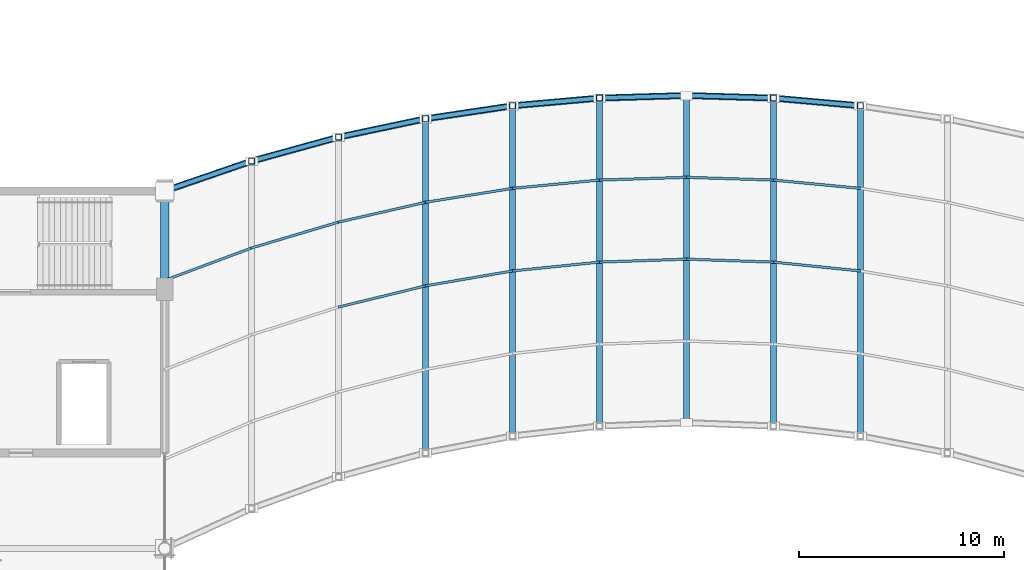
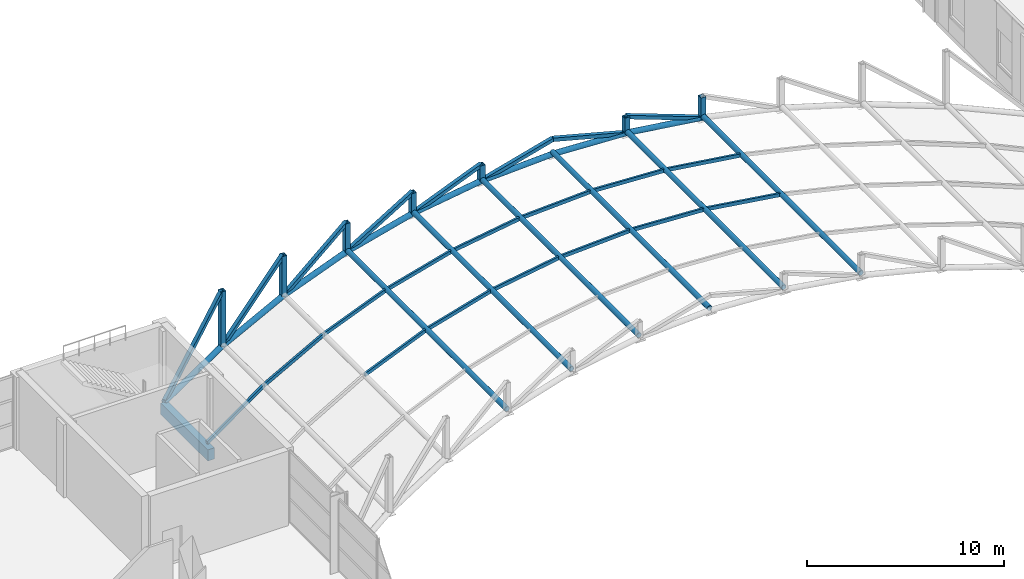
# One storey, part 33 of 101: 43 members, 1 beam.
"""IFC4 building model written with IfcOpenShell, lengths in metres."""

import ifcopenshell
import ifcopenshell.guid

model = None  # the IFC model being written
_history = None  # IfcOwnerHistory: only IFC2X3 demands one
_inside = {}  # id of a spatial element -> (the spatial element, [elements in it])
_under = {}  # id of a project, library or spatial element -> (it, [spatial elements below it])
_declared = {}  # id of a project -> (the project, [libraries it declares])
_typed = {}  # id of a type object -> (the type object, [elements of that type])
_made_of = {}  # id of a material, layer set ... -> (it, [elements and type objects made of it])


def new_model(schema):
    """Start an empty IFC model of exactly this schema.

    Asked for "IFC4X3", IfcOpenShell would pick the latest addendum, in which some entities
    have other attributes; the version numbers below select the first issue.
    IFC2X3 requires an IfcOwnerHistory on every rooted entity: one is made here for all.
    """
    global model, _history
    if schema == "IFC4X3":
        model = ifcopenshell.file(schema_version=(4, 3, 0, 0))
    else:
        model = ifcopenshell.file(schema=schema)
    _inside.clear()
    _under.clear()
    _declared.clear()
    _typed.clear()
    _made_of.clear()
    _history = None
    if model.schema == "IFC2X3":
        org = make("IfcOrganization", Name="unknown")
        user = make(
            "IfcPersonAndOrganization",
            ThePerson=make("IfcPerson", FamilyName="unknown"),
            TheOrganization=org,
        )
        app = make(
            "IfcApplication",
            ApplicationDeveloper=org,
            Version="unknown",
            ApplicationFullName="unknown",
            ApplicationIdentifier="unknown",
        )
        _history = make(
            "IfcOwnerHistory",
            OwningUser=user,
            OwningApplication=app,
            ChangeAction="ADDED",
            CreationDate=0,
        )
    return model


def make(cls, **values):
    """One entity of the class cls with the attributes given. An attribute that is None is left unset."""
    return model.create_entity(
        cls, **{name: value for name, value in values.items() if value is not None}
    )


def rooted(cls, **values):
    """An entity with a GlobalId (a new one), such as an element, a storey or a relation."""
    return make(cls, GlobalId=ifcopenshell.guid.new(), OwnerHistory=_history, **values)


def si_unit(unit_type, name, prefix=None):
    """IfcSIUnit, for example si_unit("LENGTHUNIT", "METRE", prefix="MILLI")."""
    return make("IfcSIUnit", UnitType=unit_type, Prefix=prefix, Name=name)


def assignment(units):
    """IfcUnitAssignment: the units of a project."""
    return None if units is None else make("IfcUnitAssignment", Units=units)


def point(xyz):
    """IfcCartesianPoint."""
    return None if xyz is None else make("IfcCartesianPoint", Coordinates=xyz)


def direction(xyz):
    """IfcDirection."""
    return None if xyz is None else make("IfcDirection", DirectionRatios=xyz)


def frame(location, z_axis=None, x_axis=None):
    """IfcAxis2Placement3D, a coordinate frame: its origin and axes. An axis left out is left unset."""
    return make(
        "IfcAxis2Placement3D",
        Location=point(location),
        Axis=direction(z_axis),
        RefDirection=direction(x_axis),
    )


def frame_2d(location, x_axis=None):
    """IfcAxis2Placement2D, a coordinate frame in the plane: its origin and x axis."""
    return make(
        "IfcAxis2Placement2D", Location=point(location), RefDirection=direction(x_axis)
    )


def origin():
    """The frame at (0, 0, 0) with its axes left unset."""
    return frame((0.0, 0.0, 0.0))


def origin_2d():
    """The frame at (0, 0) in the plane with its x axis left unset."""
    return frame_2d((0.0, 0.0))


def place(relative_to, where):
    """IfcLocalPlacement: puts the frame where relative to a parent placement (None: the world)."""
    return make(
        "IfcLocalPlacement", PlacementRelTo=relative_to, RelativePlacement=where
    )


def context(
    kind, dimensions, precision=None, world=None, true_north=None, identifier=None
):
    """IfcGeometricRepresentationContext, for example the 3D "Model" context."""
    return make(
        "IfcGeometricRepresentationContext",
        ContextIdentifier=identifier,
        ContextType=kind,
        CoordinateSpaceDimension=dimensions,
        Precision=precision,
        WorldCoordinateSystem=world,
        TrueNorth=true_north,
    )


def subcontext(parent, identifier, kind, view, scale=None):
    """IfcGeometricRepresentationSubContext, for example "Body" below "Model"."""
    return make(
        "IfcGeometricRepresentationSubContext",
        ContextIdentifier=identifier,
        ContextType=kind,
        ParentContext=parent,
        TargetScale=scale,
        TargetView=view,
    )


def project(units=None, contexts=None):
    """IfcProject with its units and contexts."""
    return rooted(
        "IfcProject",
        Name="project",
        RepresentationContexts=contexts,
        UnitsInContext=assignment(units),
    )


def spatial(cls, under=None, at=None, **own):
    """A site, building, storey or space (cls), placed at a placement, below another one or the project."""
    s = rooted(cls, ObjectPlacement=at, **own)
    if under is not None:
        _under.setdefault(under.id(), (under, []))[1].append(s)
    return s


def profile(cls, at=None, kind="AREA", **sizes):
    """A parametric profile (cls). Its sizes go by their IFC names, for example OverallWidth=200.0."""
    return make(cls, ProfileType=kind, Position=at, **sizes)


def rectangle(**sizes):
    """IfcRectangleProfileDef."""
    return profile("IfcRectangleProfileDef", **sizes)


def hollow_rectangle(**sizes):
    """IfcRectangleHollowProfileDef."""
    return profile("IfcRectangleHollowProfileDef", **sizes)


def hollow_circle(**sizes):
    """IfcCircleHollowProfileDef."""
    return profile("IfcCircleHollowProfileDef", **sizes)


def extrude(swept, where, along, depth):
    """IfcExtrudedAreaSolid: the profile swept, set in the frame where, extruded along a direction by depth."""
    return make(
        "IfcExtrudedAreaSolid",
        SweptArea=swept,
        Position=where,
        ExtrudedDirection=direction(along),
        Depth=depth,
    )


def shape(context_of_items, identifier, shape_type, items):
    """IfcShapeRepresentation: the items that make up one representation, for example the "Body"."""
    return make(
        "IfcShapeRepresentation",
        ContextOfItems=context_of_items,
        RepresentationIdentifier=identifier,
        RepresentationType=shape_type,
        Items=items,
    )


def material(Name=None, Category=None):
    """IfcMaterial."""
    return make("IfcMaterial", Name=Name, Category=Category)


def material_profile(
    of_material, cross_section, Name=None, Category=None, Priority=None
):
    """IfcMaterialProfile: a cross section and its material."""
    return make(
        "IfcMaterialProfile",
        Name=Name,
        Material=of_material,
        Profile=cross_section,
        Priority=Priority,
        Category=Category,
    )


def profile_set(profiles, Name=None, composite=None):
    """IfcMaterialProfileSet."""
    return make(
        "IfcMaterialProfileSet",
        Name=Name,
        MaterialProfiles=profiles,
        CompositeProfile=composite,
    )


def made_of(thing, what):
    """Note that an element or type object is made of a material, layer set ...; save() writes the relation."""
    if what is not None:
        _made_of.setdefault(what.id(), (what, []))[1].append(thing)
    return thing


def type_object(cls, material=None, **own):
    """A type object (cls), such as IfcWallType, which elements share."""
    return made_of(rooted(cls, **own), material)


def element(
    cls,
    number,
    at=None,
    inside=None,
    cuts=None,
    type_object=None,
    material=None,
    context=None,
    identifier="Body",
    shape_type=None,
    held_by="IfcProductDefinitionShape",
    body=None,
    shapes=None,
    **own,
):
    """One element of the class cls, such as IfcWall. Its Tag is "e" and its number.

    at: its placement. inside: the storey or other place that contains it. cuts: it is an
    opening in that element (IfcRelVoidsElement). A single representation is given by context,
    identifier, shape_type and body (its items); several are given by shapes. held_by: the class
    of the entity that holds the representations. save() writes the other relations.
    """
    e = rooted(cls, Tag="e%d" % number, ObjectPlacement=at, **own)
    if body is not None:
        shapes = [shape(context, identifier, shape_type, body)]
    if shapes is not None:
        e.Representation = make(held_by, Representations=shapes)
    if inside is not None:
        _inside.setdefault(inside.id(), (inside, []))[1].append(e)
    if cuts is not None:
        rooted(
            "IfcRelVoidsElement", RelatingBuildingElement=cuts, RelatedOpeningElement=e
        )
    if type_object is not None:
        _typed.setdefault(type_object.id(), (type_object, []))[1].append(e)
    return made_of(e, material)


def aggregate(whole, parts):
    """IfcRelAggregates: a whole, such as a stair, and the parts it consists of."""
    return rooted("IfcRelAggregates", RelatingObject=whole, RelatedObjects=parts)


def save(model, path):
    """Write the relations noted so far, then the file.

    IfcRelAggregates (storeys below a building ...), IfcRelContainedInSpatialStructure (elements
    in a storey), IfcRelDefinesByType, IfcRelAssociatesMaterial and IfcRelDeclares: one each for
    every whole, place, type object, material and project.
    """
    for whole, parts in _under.values():
        aggregate(whole, parts)
    for where, things in _inside.values():
        rooted(
            "IfcRelContainedInSpatialStructure",
            RelatedElements=things,
            RelatingStructure=where,
        )
    for kind, things in _typed.values():
        rooted("IfcRelDefinesByType", RelatedObjects=things, RelatingType=kind)
    for what, things in _made_of.values():
        rooted("IfcRelAssociatesMaterial", RelatedObjects=things, RelatingMaterial=what)
    for by, libraries in _declared.values():
        rooted("IfcRelDeclares", RelatingContext=by, RelatedDefinitions=libraries)
    model.write(path)


model = new_model("IFC4")

# Units and contexts
model_context = context("Model", 3, precision=1e-05, world=origin(), true_north=direction((0.0, 1.0)))
body_context = subcontext(model_context, "Body", "Model", "MODEL_VIEW")
ifc_project = project(units=[si_unit("LENGTHUNIT", "METRE"), si_unit("AREAUNIT", "SQUARE_METRE"), si_unit("VOLUMEUNIT", "CUBIC_METRE"), si_unit("PLANEANGLEUNIT", "RADIAN"), si_unit("MASSUNIT", "GRAM", prefix="KILO")], contexts=[model_context])

# Site, building, storey
site_placement = place(None, origin())
site = spatial("IfcSite", under=ifc_project, at=site_placement, CompositionType="ELEMENT")
building_placement = place(site_placement, origin())
building = spatial("IfcBuilding", under=site, at=building_placement, Name="Solvikara Media Centre", CompositionType="ELEMENT")
storey_placement = place(building_placement, frame((0.0, 0.0, 10.199951171875)))
storey = spatial("IfcBuildingStorey", under=building, at=storey_placement, Name="L02", CompositionType="ELEMENT", Elevation=10.199951171875)

# Beam
ifc_material_1 = material(Name="Concrete fc' 35 MPa (C35/45)", Category="concrete")
ifc_material_profile_1 = material_profile(ifc_material_1, rectangle(XDim=0.39990234375, YDim=0.699951171875, at=origin_2d()), Name="RC 400x700")
ifc_profile_set_1 = profile_set([ifc_material_profile_1], Name="Concrete fc' 35 MPa (C35/45)")
beam_type = type_object("IfcBeamType", Name="BM-13", PredefinedType="SPANDREL", material=ifc_profile_set_1)
beam_placement = place(storey_placement, frame((76.5, 32.0, -0.6298828125), z_axis=(0.0, 1.0, 0.0), x_axis=(-1.0, 0.0, 0.0)))
element("IfcBeam", 1, at=beam_placement, inside=storey, type_object=beam_type, Name="B-L02-Y0973", PredefinedType="SPANDREL", context=body_context, shape_type="SweptSolid", body=[
    extrude(rectangle(XDim=0.39990234375, YDim=0.699951171875, at=origin_2d()), origin(), (0.0, 0.0, 1.0), 4.800048828125),
])

# Members
ifc_material_2 = material(Name="Steel S355JR", Category="steel")
ifc_material_profile_2 = material_profile(ifc_material_2, hollow_circle(Radius=0.161865234375, WallThickness=0.012451171875, at=origin_2d()), Name="CHS 323.9x12.5")
ifc_profile_set_2 = profile_set([ifc_material_profile_2], Name="Steel S355JR")
member_type_1 = type_object("IfcMemberType", Name="MB-02", PredefinedType="CHORD", material=ifc_profile_set_2)
member_1_placement = place(storey_placement, frame((76.5, 36.800048828125, -0.300048828125), z_axis=(0.917920374994, 0.3153242097, 0.240817000953), x_axis=(-0.324885412119, 0.945753386984, 0.0)))
element("IfcMember", 2, at=member_1_placement, inside=storey, type_object=member_type_1, Name="ARC-N-CH-00", PredefinedType="CHORD", context=body_context, shape_type="SweptSolid", body=[
    extrude(hollow_circle(Radius=0.161865234375, WallThickness=0.012451171875, at=origin_2d()), origin(), (0.0, 0.0, 1.0), 4.630126953125),
])
member_2_placement = place(storey_placement, frame((80.75, 38.260009765625, 0.81494140625), z_axis=(0.944042925109, 0.260089031987, 0.202821722191), x_axis=(-0.265609545636, 0.964080686077, 0.0)))
element("IfcMember", 3, at=member_2_placement, inside=storey, type_object=member_type_1, Name="ARC-N-CH-01", PredefinedType="CHORD", context=body_context, shape_type="SweptSolid", body=[
    extrude(hollow_circle(Radius=0.161865234375, WallThickness=0.012451171875, at=origin_2d()), origin(), (0.0, 0.0, 1.0), 4.501953125),
])
member_3_placement = place(storey_placement, frame((85.0, 39.430908203125, 1.72802734375), z_axis=(0.965577583547, 0.204064793765, 0.16129938034), x_axis=(-0.206772369957, 0.978389077526, 0.0)))
element("IfcMember", 4, at=member_3_placement, inside=storey, type_object=member_type_1, Name="ARC-N-CH-02", PredefinedType="CHORD", context=body_context, shape_type="SweptSolid", body=[
    extrude(hollow_circle(Radius=0.161865234375, WallThickness=0.012451171875, at=origin_2d()), origin(), (0.0, 0.0, 1.0), 4.401611328125),
])
member_4_placement = place(storey_placement, frame((89.25, 40.3291015625, 2.43798828125), z_axis=(0.982232325207, 0.146759322028, 0.116967348929), x_axis=(-0.147773675894, 0.989021203369, 0.0)))
element("IfcMember", 5, at=member_4_placement, inside=storey, type_object=member_type_1, Name="ARC-N-CH-03", PredefinedType="CHORD", context=body_context, shape_type="SweptSolid", body=[
    extrude(hollow_circle(Radius=0.161865234375, WallThickness=0.012451171875, at=origin_2d()), origin(), (0.0, 0.0, 1.0), 4.326904296875),
])
member_5_placement = place(storey_placement, frame((93.5, 40.964111328125, 2.944091796875), z_axis=(0.993555515905, 0.088123260372, 0.071286238475), x_axis=(-0.088348026597, 0.996089667749, 0.0)))
element("IfcMember", 6, at=member_5_placement, inside=storey, type_object=member_type_1, Name="ARC-N-CH-04", PredefinedType="CHORD", context=body_context, shape_type="SweptSolid", body=[
    extrude(hollow_circle(Radius=0.161865234375, WallThickness=0.012451171875, at=origin_2d()), origin(), (0.0, 0.0, 1.0), 4.277587890625),
])
for number, where, z_axis, x_axis, name in (
    (7, (97.75, 41.341064453125, 3.2490234375), (0.999278674863, 0.029620162927, 0.023765014441), (-0.029628530849, 0.99956097871, 0.0), "ARC-N-CH-05"),
    (8, (102.0, 41.467041015625, 3.35009765625), (0.999278674863, -0.029620162927, -0.023765014441), (0.029628530849, 0.99956097871, 0.0), "ARC-N-CH-06"),
):
    element("IfcMember", number, at=place(storey_placement, frame(where, z_axis=z_axis, x_axis=x_axis)), inside=storey, type_object=member_type_1, Name=name, PredefinedType="CHORD", context=body_context, shape_type="SweptSolid", body=[
        extrude(hollow_circle(Radius=0.161865234375, WallThickness=0.012451171875, at=origin_2d()), origin(), (0.0, 0.0, 1.0), 4.253173828125),
    ])
member_6_placement = place(storey_placement, frame((106.25, 41.341064453125, 3.2490234375), z_axis=(0.993555515905, -0.088123260372, -0.071286238475), x_axis=(0.088348026597, 0.996089667749, 0.0)))
element("IfcMember", 9, at=member_6_placement, inside=storey, type_object=member_type_1, Name="ARC-N-CH-07", PredefinedType="CHORD", context=body_context, shape_type="SweptSolid", body=[
    extrude(hollow_circle(Radius=0.161865234375, WallThickness=0.012451171875, at=origin_2d()), origin(), (0.0, 0.0, 1.0), 4.277587890625),
])
ifc_material_profile_3 = material_profile(ifc_material_2, hollow_rectangle(XDim=0.300048828125, YDim=0.300048828125, WallThickness=0.012451171875, at=origin_2d()), Name="RHS 300x300x12.5")
ifc_profile_set_3 = profile_set([ifc_material_profile_3], Name="Steel S355JR")
member_type_2 = type_object("IfcMemberType", Name="MB-11", PredefinedType="CHORD", material=ifc_profile_set_3)
member_7_placement = place(storey_placement, frame((80.75, 38.260009765625, 0.81494140625), z_axis=(0.0, 0.0, 1.0), x_axis=(1.0, 0.0, 0.0)))
element("IfcMember", 10, at=member_7_placement, inside=storey, type_object=member_type_2, Name="ARC-N-VT-01", PredefinedType="CHORD", context=body_context, shape_type="SweptSolid", body=[
    extrude(hollow_rectangle(XDim=0.300048828125, YDim=0.300048828125, WallThickness=0.012451171875, at=origin_2d()), origin(), (0.0, 0.0, 1.0), 3.47509765625),
])
member_8_placement = place(storey_placement, frame((85.0, 39.430908203125, 1.72802734375), z_axis=(0.0, 0.0, 1.0), x_axis=(1.0, 0.0, 0.0)))
element("IfcMember", 11, at=member_8_placement, inside=storey, type_object=member_type_2, Name="ARC-N-VT-02", PredefinedType="CHORD", context=body_context, shape_type="SweptSolid", body=[
    extrude(hollow_rectangle(XDim=0.300048828125, YDim=0.300048828125, WallThickness=0.012451171875, at=origin_2d()), origin(), (0.0, 0.0, 1.0), 2.56201171875),
])
member_9_placement = place(storey_placement, frame((89.25, 40.3291015625, 2.43798828125), z_axis=(0.0, 0.0, 1.0), x_axis=(1.0, 0.0, 0.0)))
element("IfcMember", 12, at=member_9_placement, inside=storey, type_object=member_type_2, Name="ARC-N-VT-03", PredefinedType="CHORD", context=body_context, shape_type="SweptSolid", body=[
    extrude(hollow_rectangle(XDim=0.300048828125, YDim=0.300048828125, WallThickness=0.012451171875, at=origin_2d()), origin(), (0.0, 0.0, 1.0), 1.85205078125),
])
member_10_placement = place(storey_placement, frame((93.5, 40.964111328125, 2.944091796875), z_axis=(0.0, 0.0, 1.0), x_axis=(1.0, 0.0, 0.0)))
element("IfcMember", 13, at=member_10_placement, inside=storey, type_object=member_type_2, Name="ARC-N-VT-04", PredefinedType="CHORD", context=body_context, shape_type="SweptSolid", body=[
    extrude(hollow_rectangle(XDim=0.300048828125, YDim=0.300048828125, WallThickness=0.012451171875, at=origin_2d()), origin(), (0.0, 0.0, 1.0), 1.345947265625),
])
for number, where, z_axis, x_axis, name in (
    (14, (97.75, 41.341064453125, 3.2490234375), (0.0, 0.0, 1.0), (1.0, 0.0, 0.0), "ARC-N-VT-05"),
    (15, (106.25, 41.341064453125, 3.2490234375), (0.0, 0.0, 1.0), (1.0, 0.0, 0.0), "ARC-N-VT-07"),
):
    element("IfcMember", number, at=place(storey_placement, frame(where, z_axis=z_axis, x_axis=x_axis)), inside=storey, type_object=member_type_2, Name=name, PredefinedType="CHORD", context=body_context, shape_type="SweptSolid", body=[
        extrude(hollow_rectangle(XDim=0.300048828125, YDim=0.300048828125, WallThickness=0.012451171875, at=origin_2d()), origin(), (0.0, 0.0, 1.0), 1.041015625),
    ])
member_11_placement = place(storey_placement, frame((110.5, 40.964111328125, 2.944091796875), z_axis=(0.0, 0.0, 1.0), x_axis=(1.0, 0.0, 0.0)))
element("IfcMember", 16, at=member_11_placement, inside=storey, type_object=member_type_2, Name="ARC-N-VT-08", PredefinedType="CHORD", context=body_context, shape_type="SweptSolid", body=[
    extrude(hollow_rectangle(XDim=0.300048828125, YDim=0.300048828125, WallThickness=0.012451171875, at=origin_2d()), origin(), (0.0, 0.0, 1.0), 1.345947265625),
])
ifc_material_profile_4 = material_profile(ifc_material_2, hollow_rectangle(XDim=0.1201171875, YDim=0.219970703125, WallThickness=0.00634765625, at=origin_2d()), Name="RHS 220x120x6.3")
ifc_profile_set_4 = profile_set([ifc_material_profile_4], Name="Steel S355JR")
member_type_3 = type_object("IfcMemberType", Name="MB-16", PredefinedType="PURLIN", material=ifc_profile_set_4)
member_12_placement = place(storey_placement, frame((76.5, 32.430908203125, -0.159912109375), z_axis=(0.90994304699, 0.33913778084, 0.238724143819), x_axis=(-0.349235066585, 0.937035147829, 0.0)))
element("IfcMember", 17, at=member_12_placement, inside=storey, type_object=member_type_3, Name="ARC-PRL-00-75", PredefinedType="PURLIN", context=body_context, shape_type="SweptSolid", body=[
    extrude(hollow_rectangle(XDim=0.1201171875, YDim=0.219970703125, WallThickness=0.00634765625, at=origin_2d()), origin(), (0.0, 0.0, 1.0), 4.670654296875),
])
member_13_placement = place(storey_placement, frame((80.75, 34.014892578125, 0.955078125), z_axis=(0.93879788209, 0.279244912308, 0.20169485748), x_axis=(-0.285104258632, 0.958496511058, 0.0)))
element("IfcMember", 18, at=member_13_placement, inside=storey, type_object=member_type_3, Name="ARC-PRL-01-75", PredefinedType="PURLIN", context=body_context, shape_type="SweptSolid", body=[
    extrude(hollow_rectangle(XDim=0.1201171875, YDim=0.219970703125, WallThickness=0.00634765625, at=origin_2d()), origin(), (0.0, 0.0, 1.0), 4.527099609375),
])
member_14_placement = place(storey_placement, frame((85.0, 31.126953125, 1.8681640625), z_axis=(0.95899624945, 0.233799407322, 0.160199970899), x_axis=(-0.236858534628, 0.971544149575, 0.0)))
element("IfcMember", 19, at=member_14_placement, inside=storey, type_object=member_type_3, Name="ARC-PRL-02-50", PredefinedType="PURLIN", context=body_context, shape_type="SweptSolid", body=[
    extrude(hollow_rectangle(XDim=0.1201171875, YDim=0.219970703125, WallThickness=0.00634765625, at=origin_2d()), origin(), (0.0, 0.0, 1.0), 4.431640625),
])
member_15_placement = place(storey_placement, frame((85.0, 35.279052734375, 1.8681640625), z_axis=(0.962393212167, 0.218982049253, 0.160767432272), x_axis=(-0.221868038489, 0.975076701341, 0.0)))
element("IfcMember", 20, at=member_15_placement, inside=storey, type_object=member_type_3, Name="ARC-PRL-02-75", PredefinedType="PURLIN", context=body_context, shape_type="SweptSolid", body=[
    extrude(hollow_rectangle(XDim=0.1201171875, YDim=0.219970703125, WallThickness=0.00634765625, at=origin_2d()), origin(), (0.0, 0.0, 1.0), 4.416015625),
])
member_16_placement = place(storey_placement, frame((89.25, 32.1630859375, 2.578125), z_axis=(0.978929651378, 0.167691189132, 0.116517821556), x_axis=(-0.168841234137, 0.985643260848, 0.0)))
element("IfcMember", 21, at=member_16_placement, inside=storey, type_object=member_type_3, Name="ARC-PRL-03-50", PredefinedType="PURLIN", context=body_context, shape_type="SweptSolid", body=[
    extrude(hollow_rectangle(XDim=0.1201171875, YDim=0.219970703125, WallThickness=0.00634765625, at=origin_2d()), origin(), (0.0, 0.0, 1.0), 4.341552734375),
])
member_17_placement = place(storey_placement, frame((89.25, 36.24609375, 2.578125), z_axis=(0.98065821031, 0.157114875262, 0.116723564554), x_axis=(-0.15819623475, 0.987407692552, 0.0)))
element("IfcMember", 22, at=member_17_placement, inside=storey, type_object=member_type_3, Name="ARC-PRL-03-75", PredefinedType="PURLIN", context=body_context, shape_type="SweptSolid", body=[
    extrude(hollow_rectangle(XDim=0.1201171875, YDim=0.219970703125, WallThickness=0.00634765625, at=origin_2d()), origin(), (0.0, 0.0, 1.0), 4.333740234375),
])
member_18_placement = place(storey_placement, frame((93.5, 32.89111328125, 3.083984375), z_axis=(0.992347386539, 0.100842286695, 0.071256562108), x_axis=(-0.101099279005, 0.994876341956, 0.0)))
element("IfcMember", 23, at=member_18_placement, inside=storey, type_object=member_type_3, Name="ARC-PRL-04-50", PredefinedType="PURLIN", context=body_context, shape_type="SweptSolid", body=[
    extrude(hollow_rectangle(XDim=0.1201171875, YDim=0.219970703125, WallThickness=0.00634765625, at=origin_2d()), origin(), (0.0, 0.0, 1.0), 4.28271484375),
])
member_19_placement = place(storey_placement, frame((93.5, 36.927001953125, 3.083984375), z_axis=(0.992955936567, 0.094629704662, 0.071300259691), x_axis=(-0.094871161473, 0.995489559323, 0.0)))
element("IfcMember", 24, at=member_19_placement, inside=storey, type_object=member_type_3, Name="ARC-PRL-04-75", PredefinedType="PURLIN", context=body_context, shape_type="SweptSolid", body=[
    extrude(hollow_rectangle(XDim=0.1201171875, YDim=0.219970703125, WallThickness=0.00634765625, at=origin_2d()), origin(), (0.0, 0.0, 1.0), 4.280029296875),
])
member_20_placement = place(storey_placement, frame((97.75, 33.322998046875, 3.38916015625), z_axis=(0.999145316174, 0.033863495895, 0.023704447127), x_axis=(-0.033873013869, 0.999426144811, 0.0)))
element("IfcMember", 25, at=member_20_placement, inside=storey, type_object=member_type_3, Name="ARC-PRL-05-50", PredefinedType="PURLIN", context=body_context, shape_type="SweptSolid", body=[
    extrude(hollow_rectangle(XDim=0.1201171875, YDim=0.219970703125, WallThickness=0.00634765625, at=origin_2d()), origin(), (0.0, 0.0, 1.0), 4.253662109375),
])
member_21_placement = place(storey_placement, frame((97.75, 37.33203125, 3.38916015625), z_axis=(0.999214922956, 0.031742064131, 0.023706098528), x_axis=(-0.031750987081, 0.999495810306, 0.0)))
element("IfcMember", 26, at=member_21_placement, inside=storey, type_object=member_type_3, Name="ARC-PRL-05-75", PredefinedType="PURLIN", context=body_context, shape_type="SweptSolid", body=[
    extrude(hollow_rectangle(XDim=0.1201171875, YDim=0.219970703125, WallThickness=0.00634765625, at=origin_2d()), origin(), (0.0, 0.0, 1.0), 4.25341796875),
])
member_22_placement = place(storey_placement, frame((102.0, 33.467041015625, 3.489990234375), z_axis=(0.999145316174, -0.033863495895, -0.023704447127), x_axis=(0.033873013869, 0.999426144811, 0.0)))
element("IfcMember", 27, at=member_22_placement, inside=storey, type_object=member_type_3, Name="ARC-PRL-06-50", PredefinedType="PURLIN", context=body_context, shape_type="SweptSolid", body=[
    extrude(hollow_rectangle(XDim=0.1201171875, YDim=0.219970703125, WallThickness=0.00634765625, at=origin_2d()), origin(), (0.0, 0.0, 1.0), 4.253662109375),
])
member_23_placement = place(storey_placement, frame((102.0, 37.467041015625, 3.489990234375), z_axis=(0.999214922956, -0.031742064131, -0.023706098528), x_axis=(0.031750987081, 0.999495810306, 0.0)))
element("IfcMember", 28, at=member_23_placement, inside=storey, type_object=member_type_3, Name="ARC-PRL-06-75", PredefinedType="PURLIN", context=body_context, shape_type="SweptSolid", body=[
    extrude(hollow_rectangle(XDim=0.1201171875, YDim=0.219970703125, WallThickness=0.00634765625, at=origin_2d()), origin(), (0.0, 0.0, 1.0), 4.25341796875),
])
member_24_placement = place(storey_placement, frame((106.25, 33.322998046875, 3.38916015625), z_axis=(0.992347386539, -0.100842286695, -0.071256562108), x_axis=(0.101099279005, 0.994876341956, 0.0)))
element("IfcMember", 29, at=member_24_placement, inside=storey, type_object=member_type_3, Name="ARC-PRL-07-50", PredefinedType="PURLIN", context=body_context, shape_type="SweptSolid", body=[
    extrude(hollow_rectangle(XDim=0.1201171875, YDim=0.219970703125, WallThickness=0.00634765625, at=origin_2d()), origin(), (0.0, 0.0, 1.0), 4.28271484375),
])
member_25_placement = place(storey_placement, frame((106.25, 37.33203125, 3.38916015625), z_axis=(0.992955936567, -0.094629704662, -0.071300259691), x_axis=(0.094871161473, 0.995489559323, 0.0)))
element("IfcMember", 30, at=member_25_placement, inside=storey, type_object=member_type_3, Name="ARC-PRL-07-75", PredefinedType="PURLIN", context=body_context, shape_type="SweptSolid", body=[
    extrude(hollow_rectangle(XDim=0.1201171875, YDim=0.219970703125, WallThickness=0.00634765625, at=origin_2d()), origin(), (0.0, 0.0, 1.0), 4.280029296875),
])
ifc_material_profile_5 = material_profile(ifc_material_2, hollow_circle(Radius=0.149169921875, WallThickness=0.010009765625, at=origin_2d()), Name="CHS 298.5x10")
ifc_profile_set_5 = profile_set([ifc_material_profile_5], Name="Steel S355JR")
member_type_4 = type_object("IfcMemberType", Name="MB-28", PredefinedType="CHORD", material=ifc_profile_set_5)
member_26_placement = place(storey_placement, frame((89.25, 23.99609375, 2.578125), z_axis=(0.0, 1.0, 0.0), x_axis=(-1.0, 0.0, 0.0)))
element("IfcMember", 31, at=member_26_placement, inside=storey, type_object=member_type_4, Name="ARC-RIB-03", PredefinedType="CHORD", context=body_context, shape_type="SweptSolid", body=[
    extrude(hollow_circle(Radius=0.149169921875, WallThickness=0.010009765625, at=origin_2d()), origin(), (0.0, 0.0, 1.0), 16.3330078125),
])
member_27_placement = place(storey_placement, frame((93.5, 24.818115234375, 3.083984375), z_axis=(0.0, 1.0, 0.0), x_axis=(-1.0, 0.0, 0.0)))
element("IfcMember", 32, at=member_27_placement, inside=storey, type_object=member_type_4, Name="ARC-RIB-04", PredefinedType="CHORD", context=body_context, shape_type="SweptSolid", body=[
    extrude(hollow_circle(Radius=0.149169921875, WallThickness=0.010009765625, at=origin_2d()), origin(), (0.0, 0.0, 1.0), 16.14599609375),
])
member_28_placement = place(storey_placement, frame((97.75, 25.304931640625, 3.38916015625), z_axis=(0.0, 1.0, 0.0), x_axis=(-1.0, 0.0, 0.0)))
element("IfcMember", 33, at=member_28_placement, inside=storey, type_object=member_type_4, Name="ARC-RIB-05", PredefinedType="CHORD", context=body_context, shape_type="SweptSolid", body=[
    extrude(hollow_circle(Radius=0.149169921875, WallThickness=0.010009765625, at=origin_2d()), origin(), (0.0, 0.0, 1.0), 16.0361328125),
])
member_29_placement = place(storey_placement, frame((102.0, 25.467041015625, 3.489990234375), z_axis=(0.0, 1.0, 0.0), x_axis=(-1.0, 0.0, 0.0)))
element("IfcMember", 34, at=member_29_placement, inside=storey, type_object=member_type_4, Name="ARC-RIB-06", PredefinedType="CHORD", context=body_context, shape_type="SweptSolid", body=[
    extrude(hollow_circle(Radius=0.149169921875, WallThickness=0.010009765625, at=origin_2d()), origin(), (0.0, 0.0, 1.0), 16.0),
])
member_30_placement = place(storey_placement, frame((106.25, 25.304931640625, 3.38916015625), z_axis=(0.0, 1.0, 0.0), x_axis=(-1.0, 0.0, 0.0)))
element("IfcMember", 35, at=member_30_placement, inside=storey, type_object=member_type_4, Name="ARC-RIB-07", PredefinedType="CHORD", context=body_context, shape_type="SweptSolid", body=[
    extrude(hollow_circle(Radius=0.149169921875, WallThickness=0.010009765625, at=origin_2d()), origin(), (0.0, 0.0, 1.0), 16.0361328125),
])
member_31_placement = place(storey_placement, frame((110.5, 24.818115234375, 3.083984375), z_axis=(0.0, 1.0, 0.0), x_axis=(-1.0, 0.0, 0.0)))
element("IfcMember", 36, at=member_31_placement, inside=storey, type_object=member_type_4, Name="ARC-RIB-08", PredefinedType="CHORD", context=body_context, shape_type="SweptSolid", body=[
    extrude(hollow_circle(Radius=0.149169921875, WallThickness=0.010009765625, at=origin_2d()), origin(), (0.0, 0.0, 1.0), 16.14599609375),
])
ifc_material_profile_6 = material_profile(ifc_material_2, hollow_rectangle(XDim=0.219970703125, YDim=0.219970703125, WallThickness=0.010009765625, at=origin_2d()), Name="RHS 220x220x10")
ifc_profile_set_6 = profile_set([ifc_material_profile_6], Name="Steel S355JR")
member_type_5 = type_object("IfcMemberType", Name="MB-30", PredefinedType="BRACE", material=ifc_profile_set_6)
member_32_placement = place(storey_placement, frame((76.5, 36.800048828125, -0.300048828125), z_axis=(0.661620715075, 0.227280093988, 0.714564054694), x_axis=(-0.324885412119, 0.945753386984, 0.0)))
element("IfcMember", 37, at=member_32_placement, inside=storey, type_object=member_type_5, Name="ARC-N-DG-00", PredefinedType="BRACE", context=body_context, shape_type="SweptSolid", body=[
    extrude(hollow_rectangle(XDim=0.219970703125, YDim=0.219970703125, WallThickness=0.010009765625, at=origin_2d()), origin(), (0.0, 0.0, 1.0), 6.423583984375),
])
member_33_placement = place(storey_placement, frame((80.75, 38.260009765625, 0.81494140625), z_axis=(0.757122337425, 0.208591379268, 0.619076249478), x_axis=(-0.265609545636, 0.964080686077, 0.0)))
element("IfcMember", 38, at=member_33_placement, inside=storey, type_object=member_type_5, Name="ARC-N-DG-01", PredefinedType="BRACE", context=body_context, shape_type="SweptSolid", body=[
    extrude(hollow_rectangle(XDim=0.219970703125, YDim=0.219970703125, WallThickness=0.010009765625, at=origin_2d()), origin(), (0.0, 0.0, 1.0), 5.61328125),
])
member_34_placement = place(storey_placement, frame((85.0, 39.430908203125, 1.72802734375), z_axis=(0.842730685966, 0.178102377853, 0.508020210163), x_axis=(-0.206772369957, 0.978389077526, 0.0)))
element("IfcMember", 39, at=member_34_placement, inside=storey, type_object=member_type_5, Name="ARC-N-DG-02", PredefinedType="BRACE", context=body_context, shape_type="SweptSolid", body=[
    extrude(hollow_rectangle(XDim=0.219970703125, YDim=0.219970703125, WallThickness=0.010009765625, at=origin_2d()), origin(), (0.0, 0.0, 1.0), 5.043212890625),
])
member_35_placement = place(storey_placement, frame((89.25, 40.3291015625, 2.43798828125), z_axis=(0.908255902188, 0.135706204135, 0.395796718405), x_axis=(-0.147773675894, 0.989021203369, 0.0)))
element("IfcMember", 40, at=member_35_placement, inside=storey, type_object=member_type_5, Name="ARC-N-DG-03", PredefinedType="BRACE", context=body_context, shape_type="SweptSolid", body=[
    extrude(hollow_rectangle(XDim=0.219970703125, YDim=0.219970703125, WallThickness=0.010009765625, at=origin_2d()), origin(), (0.0, 0.0, 1.0), 4.67919921875),
])
member_36_placement = place(storey_placement, frame((93.5, 40.964111328125, 2.944091796875), z_axis=(0.949945007349, 0.084255232729, 0.300841384738), x_axis=(-0.088348026597, 0.996089667749, 0.0)))
element("IfcMember", 41, at=member_36_placement, inside=storey, type_object=member_type_5, Name="ARC-N-DG-04", PredefinedType="BRACE", context=body_context, shape_type="SweptSolid", body=[
    extrude(hollow_rectangle(XDim=0.219970703125, YDim=0.219970703125, WallThickness=0.010009765625, at=origin_2d()), origin(), (0.0, 0.0, 1.0), 4.473876953125),
])
for number, where, z_axis, x_axis, name in (
    (42, (97.75, 41.341064453125, 3.2490234375), (0.970884492772, 0.028778515526, 0.237813159305), (-0.029628530849, 0.99956097871, 0.0), "ARC-N-DG-05"),
    (43, (102.0, 41.467041015625, 4.2900390625), (0.970884492772, -0.028778515526, -0.237813159305), (0.029628530849, 0.99956097871, 0.0), "ARC-N-DG-06"),
):
    element("IfcMember", number, at=place(storey_placement, frame(where, z_axis=z_axis, x_axis=x_axis)), inside=storey, type_object=member_type_5, Name=name, PredefinedType="BRACE", context=body_context, shape_type="SweptSolid", body=[
        extrude(hollow_rectangle(XDim=0.219970703125, YDim=0.219970703125, WallThickness=0.010009765625, at=origin_2d()), origin(), (0.0, 0.0, 1.0), 4.37744140625),
    ])
member_37_placement = place(storey_placement, frame((106.25, 41.341064453125, 4.2900390625), z_axis=(0.949945007349, -0.084255232729, -0.300841384738), x_axis=(0.088348026597, 0.996089667749, 0.0)))
element("IfcMember", 44, at=member_37_placement, inside=storey, type_object=member_type_5, Name="ARC-N-DG-07", PredefinedType="BRACE", context=body_context, shape_type="SweptSolid", body=[
    extrude(hollow_rectangle(XDim=0.219970703125, YDim=0.219970703125, WallThickness=0.010009765625, at=origin_2d()), origin(), (0.0, 0.0, 1.0), 4.473876953125),
])

save(model, "model.ifc")
